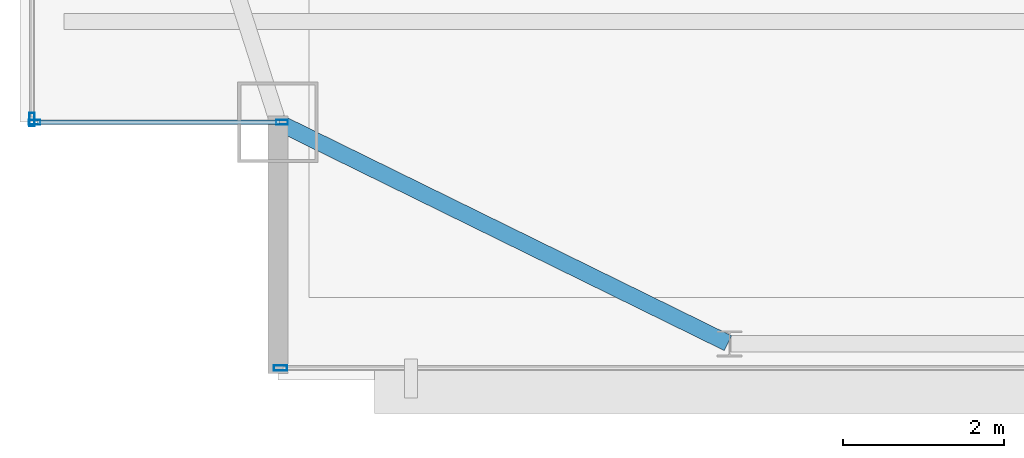
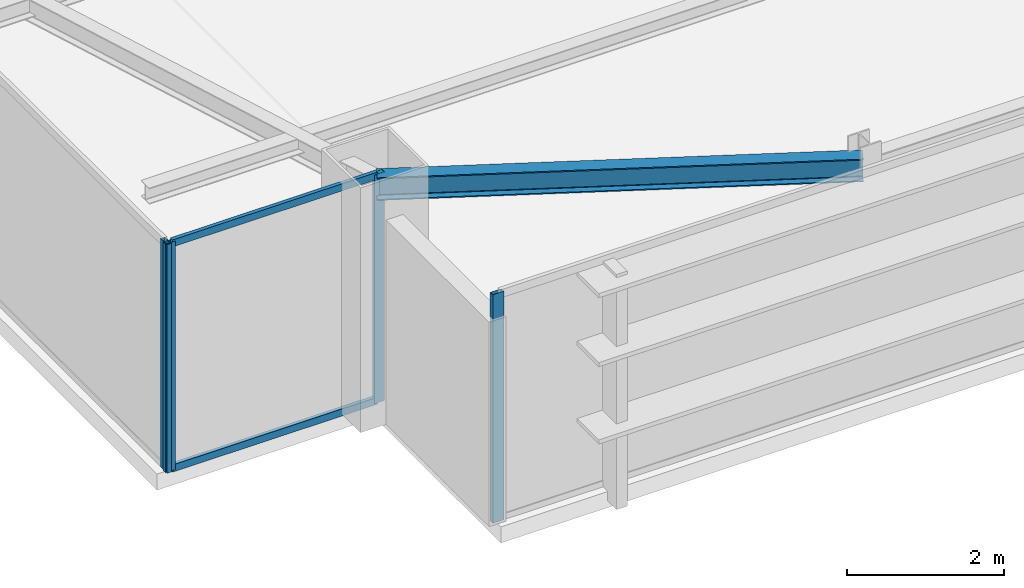
# One storey, part 4 of 24: 6 members, 1 beam, 3 elements without a shape of their own.
"""IFC4 building model written with IfcOpenShell, lengths in metres."""

from ifc_helpers import new_model, si_unit, direction, frame, origin, origin_2d, place, context, subcontext, project, spatial, hollow_rectangle, i_section, extrude, source, transform, mapped, material, layer, layer_set, material_profile, profile_set, type_object, type_shapes, element, aggregate, save


model = new_model("IFC4")

# Units and contexts
model_context = context("Model", 3, precision=1e-05, world=origin(), true_north=direction((0.0, 1.0)))
body_context = subcontext(model_context, "Body", "Model", "MODEL_VIEW")
ifc_project = project(units=[si_unit("LENGTHUNIT", "METRE"), si_unit("AREAUNIT", "SQUARE_METRE"), si_unit("VOLUMEUNIT", "CUBIC_METRE"), si_unit("PLANEANGLEUNIT", "RADIAN"), si_unit("MASSUNIT", "GRAM", prefix="KILO")], contexts=[model_context])

# Site, building, storey
site_placement = place(None, origin())
site = spatial("IfcSite", under=ifc_project, at=site_placement, CompositionType="ELEMENT")
building_placement = place(site_placement, origin())
building = spatial("IfcBuilding", under=site, at=building_placement, Name="Varnel Quay Broadcast Tower", CompositionType="ELEMENT")
storey_placement = place(building_placement, frame((0.0, 0.0, 277.39990234375)))
storey = spatial("IfcBuildingStorey", under=building, at=storey_placement, Name="L69", CompositionType="ELEMENT", Elevation=277.39990234375)

# Beam
ifc_material_1 = material(Name="Structural Steel CSA G40.21 350W", Category="steel")
ifc_material_profile_1 = material_profile(ifc_material_1, i_section(OverallWidth=0.205078125, OverallDepth=0.35400390625, WebThickness=0.009521484375, FlangeThickness=0.016845703125, FilletRadius=0.012939453125, at=origin_2d()), Name="W360X79")
ifc_profile_set_1 = profile_set([ifc_material_profile_1], Name="Structural Steel CSA G40.21 350W")
beam_type = type_object("IfcBeamType", Name="Beam_W360X79", PredefinedType="SPANDREL", material=ifc_profile_set_1)
shared_shape_1 = source(origin(), body_context, "Body", "SweptSolid", [
    extrude(i_section(OverallWidth=0.205078125, OverallDepth=0.35400390625, WebThickness=0.009521484375, FlangeThickness=0.016845703125, FilletRadius=0.012939453125, at=origin_2d()), origin(), (0.0, 0.0, 1.0), 6.19873046875),
])
type_shapes(beam_type, [shared_shape_1])
beam_placement = place(storey_placement, frame((15.218017578125, 16.39111328125, 3.373046875), z_axis=(0.897602447358, -0.440805905697, 0.0), x_axis=(0.440805905697, 0.897602447358, 0.0)))
element("IfcBeam", 1, at=beam_placement, inside=storey, type_object=beam_type, Name="L69 South Spandrel MC-SW-TC-S1", PredefinedType="SPANDREL", context=body_context, shape_type="MappedRepresentation", body=[
    mapped(shared_shape_1, transform((0.0, 0.0, 0.0), x_axis=(1.0, 0.0, 0.0), y_axis=(0.0, 1.0, 0.0), z_axis=(0.0, 0.0, 1.0), scale=1.0)),
])

# Curtain wall, members
ifc_material_2 = material(Name="Anodised Bronze Aluminium 6063-T6", Category="aluminium")
ifc_layer_1 = layer(ifc_material_2, 0.18994140625, Name="Anodised Bronze Aluminium 6063-T6")
ifc_layer_set_1 = layer_set([ifc_layer_1], Name="Anodised Bronze Aluminium 6063-T6")
curtain_wall_type_1 = type_object("IfcCurtainWallType", Name="CW_NotchCorner", PredefinedType="NOTDEFINED", material=ifc_layer_set_1)
curtain_wall_1_placement = place(storey_placement, origin())
curtain_wall_1 = element("IfcCurtainWall", 2, at=curtain_wall_1_placement, inside=storey, type_object=curtain_wall_type_1, Name="L69 SW Notch Curtain Wall", PredefinedType="NOTDEFINED")
ifc_material_profile_2 = material_profile(ifc_material_2, hollow_rectangle(XDim=0.06005859375, YDim=0.14501953125, WallThickness=0.00341796875, at=origin_2d()), Name="ALU60X145X3.5")
ifc_profile_set_2 = profile_set([ifc_material_profile_2], Name="Anodised Bronze Aluminium 6063-T6")
member_type_1 = type_object("IfcMemberType", Name="Mull_CWS-04", PredefinedType="MULLION", material=ifc_profile_set_2)
shared_shape_2 = source(origin(), body_context, "Body", "SweptSolid", [
    extrude(hollow_rectangle(XDim=0.06005859375, YDim=0.14501953125, WallThickness=0.00341796875, at=origin_2d()), origin(), (0.0, 0.0, 1.0), 3.550048828125),
])
type_shapes(member_type_1, [shared_shape_2])
member_1_placement = place(storey_placement, frame((12.179931640625, 16.39990234375, 0.0), z_axis=(0.0, 0.0, 1.0), x_axis=(0.0, 1.0, 0.0)))
member_1 = element("IfcMember", 3, at=member_1_placement, type_object=member_type_1, Name="CWS-04 mullion 1", PredefinedType="MULLION", context=body_context, shape_type="MappedRepresentation", body=[
    mapped(shared_shape_2, transform((0.0, 0.0, 0.0), x_axis=(1.0, 0.0, 0.0), y_axis=(0.0, 1.0, 0.0), z_axis=(0.0, 0.0, 1.0), scale=1.0)),
])
member_2_placement = place(storey_placement, frame((15.25, 16.39990234375, 0.0), z_axis=(0.0, 0.0, 1.0), x_axis=(0.0, 1.0, 0.0)))
member_2 = element("IfcMember", 4, at=member_2_placement, type_object=member_type_1, Name="CWS-04 mullion 2", PredefinedType="MULLION", context=body_context, shape_type="MappedRepresentation", body=[
    mapped(shared_shape_2, transform((0.0, 0.0, 0.0), x_axis=(1.0, 0.0, 0.0), y_axis=(0.0, 1.0, 0.0), z_axis=(0.0, 0.0, 1.0), scale=1.0)),
])

# Curtain wall, member
ifc_layer_2 = layer(ifc_material_2, 0.18994140625, Name="Anodised Bronze Aluminium 6063-T6")
ifc_layer_set_2 = layer_set([ifc_layer_2], Name="Anodised Bronze Aluminium 6063-T6")
curtain_wall_type_2 = type_object("IfcCurtainWallType", Name="CW_UpperTower", PredefinedType="NOTDEFINED", material=ifc_layer_set_2)
curtain_wall_2_placement = place(storey_placement, origin())
curtain_wall_2 = element("IfcCurtainWall", 5, at=curtain_wall_2_placement, inside=storey, type_object=curtain_wall_type_2, Name="L69 South Unitised Curtain Wall 1", PredefinedType="NOTDEFINED")
ifc_material_profile_3 = material_profile(ifc_material_2, hollow_rectangle(XDim=0.06494140625, YDim=0.1650390625, WallThickness=0.00341796875, at=origin_2d()), Name="ALU65X165X3.5")
ifc_profile_set_3 = profile_set([ifc_material_profile_3], Name="Anodised Bronze Aluminium 6063-T6")
member_type_2 = type_object("IfcMemberType", Name="Mull_CWS-03", PredefinedType="MULLION", material=ifc_profile_set_3)
shared_shape_3 = source(origin(), body_context, "Body", "SweptSolid", [
    extrude(hollow_rectangle(XDim=0.06494140625, YDim=0.1650390625, WallThickness=0.00341796875, at=origin_2d()), origin(), (0.0, 0.0, 1.0), 3.550048828125),
])
type_shapes(member_type_2, [shared_shape_3])
member_3_placement = place(storey_placement, frame((15.232421875, 13.35009765625, 0.0), z_axis=(0.0, 0.0, 1.0), x_axis=(0.0, 1.0, 0.0)))
member_3 = element("IfcMember", 6, at=member_3_placement, type_object=member_type_2, Name="CWS-03 mullion 1", PredefinedType="MULLION", context=body_context, shape_type="MappedRepresentation", body=[
    mapped(shared_shape_3, transform((0.0, 0.0, 0.0), x_axis=(1.0, 0.0, 0.0), y_axis=(0.0, 1.0, 0.0), z_axis=(0.0, 0.0, 1.0), scale=1.0)),
])
aggregate(curtain_wall_2, [member_3])

curtain_wall_3_placement = place(storey_placement, origin())
curtain_wall_3 = element("IfcCurtainWall", 7, at=curtain_wall_3_placement, inside=storey, type_object=curtain_wall_type_2, Name="L69 West Unitised Curtain Wall", PredefinedType="NOTDEFINED")
member_4_placement = place(storey_placement, frame((12.14990234375, 16.4326171875, 0.0), z_axis=(0.0, 0.0, 1.0), x_axis=(-1.0, 0.0, 0.0)))
member_4 = element("IfcMember", 8, at=member_4_placement, type_object=member_type_2, Name="CWS-03 mullion 1", PredefinedType="MULLION", context=body_context, shape_type="MappedRepresentation", body=[
    mapped(shared_shape_3, transform((0.0, 0.0, 0.0), x_axis=(1.0, 0.0, 0.0), y_axis=(0.0, 1.0, 0.0), z_axis=(0.0, 0.0, 1.0), scale=1.0)),
])
aggregate(curtain_wall_3, [member_4])

# Member
ifc_material_profile_4 = material_profile(ifc_material_2, hollow_rectangle(XDim=0.054931640625, YDim=0.110107421875, WallThickness=0.0029296875, at=origin_2d()), Name="ALU55X110X3")
ifc_profile_set_4 = profile_set([ifc_material_profile_4], Name="Anodised Bronze Aluminium 6063-T6")
member_type_3 = type_object("IfcMemberType", Name="Tran_CWS-04", PredefinedType="USERDEFINED", material=ifc_profile_set_4)
shared_shape_4 = source(origin(), body_context, "Body", "SweptSolid", [
    extrude(hollow_rectangle(XDim=0.054931640625, YDim=0.110107421875, WallThickness=0.0029296875, at=origin_2d()), origin(), (0.0, 0.0, 1.0), 3.010009765625),
])
type_shapes(member_type_3, [shared_shape_4])
member_5_placement = place(storey_placement, frame((12.2099609375, 16.39990234375, 0.027587890625), z_axis=(1.0, 0.0, 0.0), x_axis=(0.0, 1.0, 0.0)))
member_5 = element("IfcMember", 9, at=member_5_placement, type_object=member_type_3, Name="CWS-04 transom 1.1", ObjectType="TRANSOM", PredefinedType="USERDEFINED", context=body_context, shape_type="MappedRepresentation", body=[
    mapped(shared_shape_4, transform((0.0, 0.0, 0.0), x_axis=(1.0, 0.0, 0.0), y_axis=(0.0, 1.0, 0.0), z_axis=(0.0, 0.0, 1.0), scale=1.0)),
])

member_6_placement = place(storey_placement, frame((12.2099609375, 16.39990234375, 3.522705078125), z_axis=(1.0, 0.0, 0.0), x_axis=(0.0, 1.0, 0.0)))
member_6 = element("IfcMember", 10, at=member_6_placement, type_object=member_type_3, Name="CWS-04 transom 1.2", ObjectType="TRANSOM", PredefinedType="USERDEFINED", context=body_context, shape_type="MappedRepresentation", body=[
    mapped(shared_shape_4, transform((0.0, 0.0, 0.0), x_axis=(1.0, 0.0, 0.0), y_axis=(0.0, 1.0, 0.0), z_axis=(0.0, 0.0, 1.0), scale=1.0)),
])

aggregate(curtain_wall_1, [member_1, member_2, member_5, member_6])

save(model, "model.ifc")
